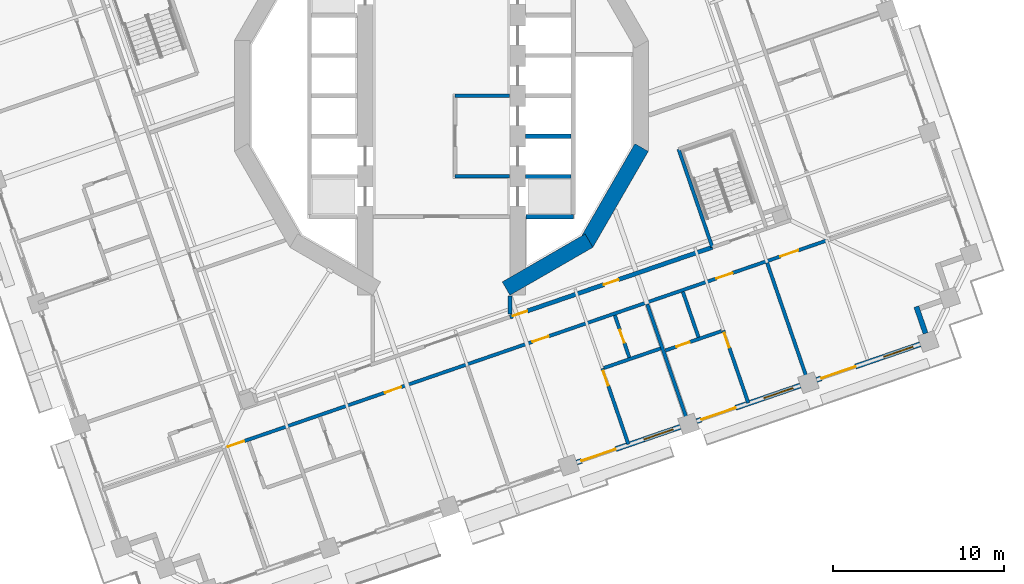
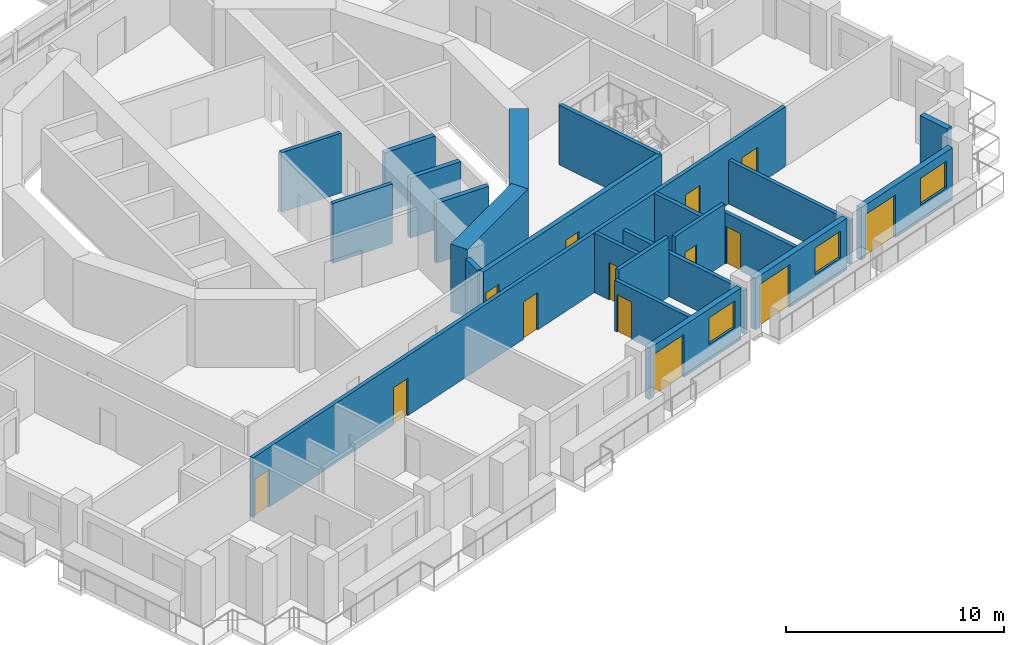
# One storey, part 9 of 22: 23 walls, 14 doors, 3 windows, 17 openings.
"""IFC4 building model written with IfcOpenShell, lengths in metres."""

from ifc_helpers import new_model, si_unit, direction, frame, frame_2d, origin, place, context, subcontext, project, spatial, rectangle, extrude, material, layer, layer_set, type_object, element, fill, save


model = new_model("IFC4")

# Units and contexts
model_context = context("Model", 3, precision=1e-05, world=origin(), true_north=direction((0.0, 1.0)))
body_context = subcontext(model_context, "Body", "Model", "MODEL_VIEW")
ifc_project = project(units=[si_unit("LENGTHUNIT", "METRE"), si_unit("AREAUNIT", "SQUARE_METRE"), si_unit("VOLUMEUNIT", "CUBIC_METRE"), si_unit("PLANEANGLEUNIT", "RADIAN"), si_unit("MASSUNIT", "GRAM", prefix="KILO")], contexts=[model_context])

# Site, building, storey
site_placement = place(None, origin())
site = spatial("IfcSite", under=ifc_project, at=site_placement, CompositionType="ELEMENT")
building_placement = place(site_placement, origin())
building = spatial("IfcBuilding", under=site, at=building_placement, Name="Cantera Rosa Tower", CompositionType="ELEMENT")
storey_placement = place(building_placement, frame((0.0, 0.0, 138.300048828125)))
storey = spatial("IfcBuildingStorey", under=building, at=storey_placement, Name="L29", CompositionType="ELEMENT", Elevation=138.300048828125)

# Wall, openings, doors
ifc_material_1 = material(Name="Gypsum board partition")
ifc_layer_1 = layer(ifc_material_1, 0.199951171875)
ifc_layer_set_1 = layer_set([ifc_layer_1], Name="CORRIDOR WALL 200 H3350")
wall_type_1 = type_object("IfcWallType", Name="CORRIDOR WALL 200 H3350", PredefinedType="PARTITIONING", material=ifc_layer_set_1)
wall_1_placement = place(storey_placement, frame((-12.58642578125, -20.515380859375, 0.0), z_axis=(0.0, 0.0, 1.0), x_axis=(0.945519939336, 0.325564193852, 0.0)))
wall_1 = element("IfcWall", 1, at=wall_1_placement, inside=storey, type_object=wall_type_1, Name="CORRIDOR WALL L29-029", PredefinedType="PARTITIONING", context=body_context, shape_type="SweptSolid", body=[
    extrude(rectangle(XDim=37.27978515625, YDim=0.199951171875, at=frame_2d((18.639892578125, 0.0))), origin(), (0.0, 0.0, 1.0), 3.349853515625),
])
opening_1_placement = place(wall_1_placement, frame((9.830078125, 0.0, 0.0)))
opening_1 = element("IfcOpeningElement", 2, at=opening_1_placement, cuts=wall_1, Name="Opening L29-039", PredefinedType="OPENING", context=body_context, shape_type="SweptSolid", body=[
    extrude(rectangle(XDim=1.0, YDim=2.10009765625, at=frame_2d((0.5, 1.050048828125))), frame((0.0, 0.10986328125, 0.0), z_axis=(0.0, -1.0, 0.0), x_axis=(1.0, 0.0, 0.0)), (0.0, 0.0, 1.0), 0.219970703125),
])
opening_2_placement = place(wall_1_placement, frame((18.929931640625, 0.0, 0.0)))
opening_2 = element("IfcOpeningElement", 3, at=opening_2_placement, cuts=wall_1, Name="Opening L29-042", PredefinedType="OPENING", context=body_context, shape_type="SweptSolid", body=[
    extrude(rectangle(XDim=1.0, YDim=2.10009765625, at=frame_2d((0.5, 1.050048828125))), frame((0.0, 0.10986328125, 0.0), z_axis=(0.0, -1.0, 0.0), x_axis=(1.0, 0.0, 0.0)), (0.0, 0.0, 1.0), 0.219970703125),
])
opening_3_placement = place(wall_1_placement, frame((30.280029296875, 0.0, 0.0)))
opening_3 = element("IfcOpeningElement", 4, at=opening_3_placement, cuts=wall_1, Name="Opening L29-045", PredefinedType="OPENING", context=body_context, shape_type="SweptSolid", body=[
    extrude(rectangle(XDim=1.0, YDim=2.10009765625, at=frame_2d((0.5, 1.050048828125))), frame((0.0, 0.10986328125, 0.0), z_axis=(0.0, -1.0, 0.0), x_axis=(1.0, 0.0, 0.0)), (0.0, 0.0, 1.0), 0.219970703125),
])
opening_4_placement = place(wall_1_placement, frame((0.1298828125, 0.0, 0.0)))
opening_4 = element("IfcOpeningElement", 5, at=opening_4_placement, cuts=wall_1, Name="Opening L29-048", PredefinedType="OPENING", context=body_context, shape_type="SweptSolid", body=[
    extrude(rectangle(XDim=1.0, YDim=2.10009765625, at=frame_2d((0.5, 1.050048828125))), frame((0.0, 0.10986328125, 0.0), z_axis=(0.0, -1.0, 0.0), x_axis=(1.0, 0.0, 0.0)), (0.0, 0.0, 1.0), 0.219970703125),
])
opening_5_placement = place(wall_1_placement, frame((34.22998046875, 0.0, 0.0)))
opening_5 = element("IfcOpeningElement", 6, at=opening_5_placement, cuts=wall_1, Name="Opening L29-051", PredefinedType="OPENING", context=body_context, shape_type="SweptSolid", body=[
    extrude(rectangle(XDim=1.10009765625, YDim=2.10009765625, at=frame_2d((0.550048828125, 1.050048828125))), frame((0.0, 0.10986328125, 0.0), z_axis=(0.0, -1.0, 0.0), x_axis=(1.0, 0.0, 0.0)), (0.0, 0.0, 1.0), 0.219970703125),
])
ifc_material_2 = material(Name="Timber door leaf", Category="wood")
door_type_1 = type_object("IfcDoorType", Name="ENTRANCE DOOR 1000x2100", OperationType="NOTDEFINED", PredefinedType="DOOR", material=ifc_material_2)
door_1_placement = place(opening_1_placement, origin())
door_1 = element("IfcDoor", 7, at=door_1_placement, inside=storey, type_object=door_type_1, Name="DOOR L29-039", OperationType="NOTDEFINED", OverallHeight=2.10009765625, OverallWidth=1.0, PredefinedType="DOOR", context=body_context, shape_type="SweptSolid", body=[
    extrude(rectangle(XDim=1.0, YDim=2.10009765625, at=frame_2d((0.5, 1.050048828125))), frame((0.0, 0.02490234375, 0.0), z_axis=(0.0, -1.0, 0.0), x_axis=(1.0, 0.0, 0.0)), (0.0, 0.0, 1.0), 0.050048828125),
])
fill(opening_1, door_1)
door_2_placement = place(opening_2_placement, origin())
door_2 = element("IfcDoor", 8, at=door_2_placement, inside=storey, type_object=door_type_1, Name="DOOR L29-042", OperationType="NOTDEFINED", OverallHeight=2.10009765625, OverallWidth=1.0, PredefinedType="DOOR", context=body_context, shape_type="SweptSolid", body=[
    extrude(rectangle(XDim=1.0, YDim=2.10009765625, at=frame_2d((0.5, 1.050048828125))), frame((0.0, 0.02490234375, 0.0), z_axis=(0.0, -1.0, 0.0), x_axis=(1.0, 0.0, 0.0)), (0.0, 0.0, 1.0), 0.050048828125),
])
fill(opening_2, door_2)
door_3_placement = place(opening_3_placement, origin())
door_3 = element("IfcDoor", 9, at=door_3_placement, inside=storey, type_object=door_type_1, Name="DOOR L29-045", OperationType="NOTDEFINED", OverallHeight=2.10009765625, OverallWidth=1.0, PredefinedType="DOOR", context=body_context, shape_type="SweptSolid", body=[
    extrude(rectangle(XDim=1.0, YDim=2.10009765625, at=frame_2d((0.5, 1.050048828125))), frame((0.0, 0.02490234375, 0.0), z_axis=(0.0, -1.0, 0.0), x_axis=(1.0, 0.0, 0.0)), (0.0, 0.0, 1.0), 0.050048828125),
])
fill(opening_3, door_3)
door_4_placement = place(opening_4_placement, origin())
door_4 = element("IfcDoor", 10, at=door_4_placement, inside=storey, type_object=door_type_1, Name="DOOR L29-048", OperationType="NOTDEFINED", OverallHeight=2.10009765625, OverallWidth=1.0, PredefinedType="DOOR", context=body_context, shape_type="SweptSolid", body=[
    extrude(rectangle(XDim=1.0, YDim=2.10009765625, at=frame_2d((0.5, 1.050048828125))), frame((0.0, 0.02490234375, 0.0), z_axis=(0.0, -1.0, 0.0), x_axis=(1.0, 0.0, 0.0)), (0.0, 0.0, 1.0), 0.050048828125),
])
fill(opening_4, door_4)
ifc_material_3 = material(Name="Timber door leaf", Category="wood")
door_type_2 = type_object("IfcDoorType", Name="ROOM DOOR 1100x2100", OperationType="NOTDEFINED", PredefinedType="DOOR", material=ifc_material_3)
door_5_placement = place(opening_5_placement, origin())
door_5 = element("IfcDoor", 11, at=door_5_placement, inside=storey, type_object=door_type_2, Name="DOOR L29-051", OperationType="NOTDEFINED", OverallHeight=2.10009765625, OverallWidth=1.10009765625, PredefinedType="DOOR", context=body_context, shape_type="SweptSolid", body=[
    extrude(rectangle(XDim=1.10009765625, YDim=2.10009765625, at=frame_2d((0.550048828125, 1.050048828125))), frame((0.0, 0.02490234375, 0.0), z_axis=(0.0, -1.0, 0.0), x_axis=(1.0, 0.0, 0.0)), (0.0, 0.0, 1.0), 0.050048828125),
])
fill(opening_5, door_5)

# Wall
ifc_material_4 = material(Name="Hollow clay masonry with cantera stone cladding", Category="masonry")
ifc_layer_2 = layer(ifc_material_4, 0.300048828125)
ifc_layer_set_2 = layer_set([ifc_layer_2], Name="EW-LOGGIA 300")
wall_type_2 = type_object("IfcWallType", Name="EW-LOGGIA 300", PredefinedType="SOLIDWALL", material=ifc_layer_set_2)
wall_2_placement = place(storey_placement, frame((28.250732421875, -13.857421875, 0.0), z_axis=(0.0, 0.0, 1.0), x_axis=(-0.325666906351, 0.945484566827, 0.0)))
element("IfcWall", 12, at=wall_2_placement, inside=storey, type_object=wall_type_2, Name="EN-L29-W29a", PredefinedType="SOLIDWALL", context=body_context, shape_type="SweptSolid", body=[
    extrude(rectangle(XDim=1.64990234375, YDim=0.300048828125, at=frame_2d((0.824951171875, 0.0))), origin(), (0.0, 0.0, 1.0), 3.5),
])

# Wall, openings, window, door
ifc_material_5 = material(Name="Hollow clay masonry with cantera stone cladding", Category="masonry")
ifc_layer_3 = layer(ifc_material_5, 0.300048828125)
ifc_layer_set_3 = layer_set([ifc_layer_3], Name="EW-LOGGIA 300 H2890")
wall_type_3 = type_object("IfcWallType", Name="EW-LOGGIA 300 H2890", PredefinedType="SOLIDWALL", material=ifc_layer_set_3)
wall_3_placement = place(storey_placement, frame((7.895751953125, -21.39501953125, 0.0), z_axis=(0.0, 0.0, 1.0), x_axis=(0.945524496524, 0.325550958337, 0.0)))
wall_3 = element("IfcWall", 13, at=wall_3_placement, inside=storey, type_object=wall_type_3, Name="EN-L29-W26", PredefinedType="SOLIDWALL", context=body_context, shape_type="SweptSolid", body=[
    extrude(rectangle(XDim=6.39990234375, YDim=0.300048828125, at=frame_2d((3.199951171875, 0.0))), origin(), (0.0, 0.0, 1.0), 2.889892578125),
])
opening_6_placement = place(wall_3_placement, frame((0.300048828125, 0.0, 0.0)))
opening_6 = element("IfcOpeningElement", 14, at=opening_6_placement, cuts=wall_3, Name="Opening L29-TD35", PredefinedType="OPENING", context=body_context, shape_type="SweptSolid", body=[
    extrude(rectangle(XDim=2.10009765625, YDim=2.39990234375, at=frame_2d((1.050048828125, 1.199951171875))), frame((0.0, 0.159912109375, 0.0), z_axis=(0.0, -1.0, 0.0), x_axis=(1.0, 0.0, 0.0)), (0.0, 0.0, 1.0), 0.320068359375),
])
opening_7_placement = place(wall_3_placement, frame((4.14990234375, 0.0, 0.89990234375)))
opening_7 = element("IfcOpeningElement", 15, at=opening_7_placement, cuts=wall_3, Name="Opening L29-W36", PredefinedType="OPENING", context=body_context, shape_type="SweptSolid", body=[
    extrude(rectangle(XDim=1.800048828125, YDim=1.5, at=frame_2d((0.89990234375, 0.75))), frame((0.0, 0.159912109375, 0.0), z_axis=(0.0, -1.0, 0.0), x_axis=(1.0, 0.0, 0.0)), (0.0, 0.0, 1.0), 0.320068359375),
])
ifc_material_6 = material(Name="Aluminium frame with clear glass", Category="aluminium")
window_type = type_object("IfcWindowType", Name="Hotel room window 1800x1500", PartitioningType="DOUBLE_PANEL_VERTICAL", PredefinedType="WINDOW", material=ifc_material_6)
window_1_placement = place(opening_7_placement, origin())
window_1 = element("IfcWindow", 16, at=window_1_placement, inside=storey, type_object=window_type, Name="WINDOW L29-W36", OverallHeight=1.5, OverallWidth=1.800048828125, PartitioningType="SINGLE_PANEL", PredefinedType="WINDOW", context=body_context, shape_type="SweptSolid", body=[
    extrude(rectangle(XDim=1.800048828125, YDim=1.5, at=frame_2d((0.89990234375, 0.75))), frame((0.0, 0.030029296875, 0.0), z_axis=(0.0, -1.0, 0.0), x_axis=(1.0, 0.0, 0.0)), (0.0, 0.0, 1.0), 0.06005859375),
])
fill(opening_7, window_1)
ifc_material_7 = material(Name="Aluminium frame with clear glass", Category="aluminium")
door_type_3 = type_object("IfcDoorType", Name="TD-H 2100x2400", OperationType="NOTDEFINED", PredefinedType="DOOR", material=ifc_material_7)
door_6_placement = place(opening_6_placement, origin())
door_6 = element("IfcDoor", 17, at=door_6_placement, inside=storey, type_object=door_type_3, Name="LOGGIA DOOR L29-TD35", OperationType="SLIDING_TO_LEFT", OverallHeight=2.39990234375, OverallWidth=2.10009765625, PredefinedType="DOOR", context=body_context, shape_type="SweptSolid", body=[
    extrude(rectangle(XDim=2.10009765625, YDim=2.39990234375, at=frame_2d((1.050048828125, 1.199951171875))), frame((0.0, 0.02490234375, 0.0), z_axis=(0.0, -1.0, 0.0), x_axis=(1.0, 0.0, 0.0)), (0.0, 0.0, 1.0), 0.050048828125),
])
fill(opening_6, door_6)

wall_4_placement = place(storey_placement, frame((14.892578125, -18.98583984375, 0.0), z_axis=(0.0, 0.0, 1.0), x_axis=(0.945512753621, 0.325585062219, 0.0)))
wall_4 = element("IfcWall", 18, at=wall_4_placement, inside=storey, type_object=wall_type_3, Name="EN-L29-W27", PredefinedType="SOLIDWALL", context=body_context, shape_type="SweptSolid", body=[
    extrude(rectangle(XDim=6.39990234375, YDim=0.300048828125, at=frame_2d((3.199951171875, 0.0))), origin(), (0.0, 0.0, 1.0), 2.889892578125),
])
opening_8_placement = place(wall_4_placement, frame((0.300048828125, 0.0, 0.0)))
opening_8 = element("IfcOpeningElement", 19, at=opening_8_placement, cuts=wall_4, Name="Opening L29-TD37", PredefinedType="OPENING", context=body_context, shape_type="SweptSolid", body=[
    extrude(rectangle(XDim=2.10009765625, YDim=2.39990234375, at=frame_2d((1.050048828125, 1.199951171875))), frame((0.0, 0.159912109375, 0.0), z_axis=(0.0, -1.0, 0.0), x_axis=(1.0, 0.0, 0.0)), (0.0, 0.0, 1.0), 0.320068359375),
])
opening_9_placement = place(wall_4_placement, frame((4.14990234375, 0.0, 0.89990234375)))
opening_9 = element("IfcOpeningElement", 20, at=opening_9_placement, cuts=wall_4, Name="Opening L29-W38", PredefinedType="OPENING", context=body_context, shape_type="SweptSolid", body=[
    extrude(rectangle(XDim=1.800048828125, YDim=1.5, at=frame_2d((0.89990234375, 0.75))), frame((0.0, 0.159912109375, 0.0), z_axis=(0.0, -1.0, 0.0), x_axis=(1.0, 0.0, 0.0)), (0.0, 0.0, 1.0), 0.320068359375),
])
window_2_placement = place(opening_9_placement, origin())
window_2 = element("IfcWindow", 21, at=window_2_placement, inside=storey, type_object=window_type, Name="WINDOW L29-W38", OverallHeight=1.5, OverallWidth=1.800048828125, PartitioningType="SINGLE_PANEL", PredefinedType="WINDOW", context=body_context, shape_type="SweptSolid", body=[
    extrude(rectangle(XDim=1.800048828125, YDim=1.5, at=frame_2d((0.89990234375, 0.75))), frame((0.0, 0.030029296875, 0.0), z_axis=(0.0, -1.0, 0.0), x_axis=(1.0, 0.0, 0.0)), (0.0, 0.0, 1.0), 0.06005859375),
])
fill(opening_9, window_2)
door_7_placement = place(opening_8_placement, origin())
door_7 = element("IfcDoor", 22, at=door_7_placement, inside=storey, type_object=door_type_3, Name="LOGGIA DOOR L29-TD37", OperationType="SLIDING_TO_LEFT", OverallHeight=2.39990234375, OverallWidth=2.10009765625, PredefinedType="DOOR", context=body_context, shape_type="SweptSolid", body=[
    extrude(rectangle(XDim=2.10009765625, YDim=2.39990234375, at=frame_2d((1.050048828125, 1.199951171875))), frame((0.0, 0.02490234375, 0.0), z_axis=(0.0, -1.0, 0.0), x_axis=(1.0, 0.0, 0.0)), (0.0, 0.0, 1.0), 0.050048828125),
])
fill(opening_8, door_7)

ifc_material_8 = material(Name="Hollow clay masonry with cantera stone cladding", Category="masonry")
ifc_layer_4 = layer(ifc_material_8, 0.300048828125)
ifc_layer_set_4 = layer_set([ifc_layer_4], Name="EW-LOGGIA 300 H2940")
wall_type_4 = type_object("IfcWallType", Name="EW-LOGGIA 300 H2940", PredefinedType="SOLIDWALL", material=ifc_layer_set_4)
wall_5_placement = place(storey_placement, frame((21.889404296875, -16.57666015625, 0.0), z_axis=(0.0, 0.0, 1.0), x_axis=(0.945512753621, 0.325585062219, 0.0)))
wall_5 = element("IfcWall", 23, at=wall_5_placement, inside=storey, type_object=wall_type_4, Name="EN-L29-W28", PredefinedType="SOLIDWALL", context=body_context, shape_type="SweptSolid", body=[
    extrude(rectangle(XDim=6.39990234375, YDim=0.300048828125, at=frame_2d((3.199951171875, 0.0))), origin(), (0.0, 0.0, 1.0), 2.93994140625),
])
opening_10_placement = place(wall_5_placement, frame((0.300048828125, 0.0, 0.0)))
opening_10 = element("IfcOpeningElement", 24, at=opening_10_placement, cuts=wall_5, Name="Opening L29-TD39", PredefinedType="OPENING", context=body_context, shape_type="SweptSolid", body=[
    extrude(rectangle(XDim=2.10009765625, YDim=2.39990234375, at=frame_2d((1.050048828125, 1.199951171875))), frame((0.0, 0.159912109375, 0.0), z_axis=(0.0, -1.0, 0.0), x_axis=(1.0, 0.0, 0.0)), (0.0, 0.0, 1.0), 0.320068359375),
])
opening_11_placement = place(wall_5_placement, frame((4.14990234375, 0.0, 0.89990234375)))
opening_11 = element("IfcOpeningElement", 25, at=opening_11_placement, cuts=wall_5, Name="Opening L29-W40", PredefinedType="OPENING", context=body_context, shape_type="SweptSolid", body=[
    extrude(rectangle(XDim=1.800048828125, YDim=1.5, at=frame_2d((0.89990234375, 0.75))), frame((0.0, 0.159912109375, 0.0), z_axis=(0.0, -1.0, 0.0), x_axis=(1.0, 0.0, 0.0)), (0.0, 0.0, 1.0), 0.320068359375),
])
window_3_placement = place(opening_11_placement, origin())
window_3 = element("IfcWindow", 26, at=window_3_placement, inside=storey, type_object=window_type, Name="WINDOW L29-W40", OverallHeight=1.5, OverallWidth=1.800048828125, PartitioningType="SINGLE_PANEL", PredefinedType="WINDOW", context=body_context, shape_type="SweptSolid", body=[
    extrude(rectangle(XDim=1.800048828125, YDim=1.5, at=frame_2d((0.89990234375, 0.75))), frame((0.0, 0.030029296875, 0.0), z_axis=(0.0, -1.0, 0.0), x_axis=(1.0, 0.0, 0.0)), (0.0, 0.0, 1.0), 0.06005859375),
])
fill(opening_11, window_3)
door_8_placement = place(opening_10_placement, origin())
door_8 = element("IfcDoor", 27, at=door_8_placement, inside=storey, type_object=door_type_3, Name="LOGGIA DOOR L29-TD39", OperationType="SLIDING_TO_LEFT", OverallHeight=2.39990234375, OverallWidth=2.10009765625, PredefinedType="DOOR", context=body_context, shape_type="SweptSolid", body=[
    extrude(rectangle(XDim=2.10009765625, YDim=2.39990234375, at=frame_2d((1.050048828125, 1.199951171875))), frame((0.0, 0.02490234375, 0.0), z_axis=(0.0, -1.0, 0.0), x_axis=(1.0, 0.0, 0.0)), (0.0, 0.0, 1.0), 0.050048828125),
])
fill(opening_10, door_8)

# Wall, opening, door
ifc_material_9 = material(Name="Gypsum board partition")
ifc_layer_5 = layer(ifc_material_9, 0.199951171875)
ifc_layer_set_5 = layer_set([ifc_layer_5], Name="PARTITION 200 H2850")
wall_type_5 = type_object("IfcWallType", Name="PARTITION 200 H2850", PredefinedType="PARTITIONING", material=ifc_layer_set_5)
wall_6_placement = place(storey_placement, frame((10.91162109375, -20.324951171875, 0.0), z_axis=(0.0, 0.0, 1.0), x_axis=(-0.325574999189, 0.945516218742, 0.0)))
wall_6 = element("IfcWall", 28, at=wall_6_placement, inside=storey, type_object=wall_type_5, Name="PARTITION L29-081", PredefinedType="PARTITIONING", context=body_context, shape_type="SweptSolid", body=[
    extrude(rectangle(XDim=4.670166015625, YDim=0.199951171875, at=frame_2d((2.3349609375, 0.0))), origin(), (0.0, 0.0, 1.0), 2.849853515625),
])
opening_12_placement = place(wall_6_placement, frame((3.6201171875, 0.0, 0.0)))
opening_12 = element("IfcOpeningElement", 29, at=opening_12_placement, cuts=wall_6, Name="Opening L29-044", PredefinedType="OPENING", context=body_context, shape_type="SweptSolid", body=[
    extrude(rectangle(XDim=0.89990234375, YDim=2.10009765625, at=frame_2d((0.449951171875, 1.050048828125))), frame((0.0, 0.10986328125, 0.0), z_axis=(0.0, -1.0, 0.0), x_axis=(1.0, 0.0, 0.0)), (0.0, 0.0, 1.0), 0.219970703125),
])
ifc_material_10 = material(Name="Timber door leaf", Category="wood")
door_type_4 = type_object("IfcDoorType", Name="ROOM DOOR 900x2100", OperationType="NOTDEFINED", PredefinedType="DOOR", material=ifc_material_10)
door_9_placement = place(opening_12_placement, origin())
door_9 = element("IfcDoor", 30, at=door_9_placement, inside=storey, type_object=door_type_4, Name="DOOR L29-044", OperationType="NOTDEFINED", OverallHeight=2.10009765625, OverallWidth=0.89990234375, PredefinedType="DOOR", context=body_context, shape_type="SweptSolid", body=[
    extrude(rectangle(XDim=0.89990234375, YDim=2.10009765625, at=frame_2d((0.449951171875, 1.050048828125))), frame((0.0, 0.02490234375, 0.0), z_axis=(0.0, -1.0, 0.0), x_axis=(1.0, 0.0, 0.0)), (0.0, 0.0, 1.0), 0.050048828125),
])
fill(opening_12, door_9)

wall_7_placement = place(storey_placement, frame((16.453125, -13.689208984375, 0.0), z_axis=(0.0, 0.0, 1.0), x_axis=(0.325568171973, -0.945518569568, 0.0)))
wall_7 = element("IfcWall", 31, at=wall_7_placement, inside=storey, type_object=wall_type_5, Name="PARTITION L29-100", PredefinedType="PARTITIONING", context=body_context, shape_type="SweptSolid", body=[
    extrude(rectangle(XDim=4.47021484375, YDim=0.199951171875, at=frame_2d((2.235107421875, 0.0))), origin(), (0.0, 0.0, 1.0), 2.849853515625),
])
opening_13_placement = place(wall_7_placement, frame((0.14990234375, 0.0, 0.0)))
opening_13 = element("IfcOpeningElement", 32, at=opening_13_placement, cuts=wall_7, Name="Opening L29-046", PredefinedType="OPENING", context=body_context, shape_type="SweptSolid", body=[
    extrude(rectangle(XDim=0.89990234375, YDim=2.10009765625, at=frame_2d((0.449951171875, 1.050048828125))), frame((0.0, 0.10986328125, 0.0), z_axis=(0.0, -1.0, 0.0), x_axis=(1.0, 0.0, 0.0)), (0.0, 0.0, 1.0), 0.219970703125),
])
door_10_placement = place(opening_13_placement, origin())
door_10 = element("IfcDoor", 33, at=door_10_placement, inside=storey, type_object=door_type_4, Name="DOOR L29-046", OperationType="NOTDEFINED", OverallHeight=2.10009765625, OverallWidth=0.89990234375, PredefinedType="DOOR", context=body_context, shape_type="SweptSolid", body=[
    extrude(rectangle(XDim=0.89990234375, YDim=2.10009765625, at=frame_2d((0.449951171875, 1.050048828125))), frame((0.0, 0.02490234375, 0.0), z_axis=(0.0, -1.0, 0.0), x_axis=(1.0, 0.0, 0.0)), (0.0, 0.0, 1.0), 0.050048828125),
])
fill(opening_13, door_10)

# Wall
ifc_material_11 = material(Name="Gypsum board partition")
ifc_layer_6 = layer(ifc_material_11, 0.199951171875)
ifc_layer_set_6 = layer_set([ifc_layer_6], Name="PARTITION 200 H3350")
wall_type_6 = type_object("IfcWallType", Name="PARTITION 200 H3350", PredefinedType="PARTITIONING", material=ifc_layer_set_6)
wall_8_placement = place(storey_placement, frame((9.48583984375, -15.876708984375, 0.0), z_axis=(0.0, 0.0, 1.0), x_axis=(0.945526322632, 0.325545654572, 0.0)))
element("IfcWall", 34, at=wall_8_placement, inside=storey, type_object=wall_type_6, Name="PARTITION L29-078", PredefinedType="PARTITIONING", context=body_context, shape_type="SweptSolid", body=[
    extrude(rectangle(XDim=3.5, YDim=0.199951171875, at=frame_2d((1.75, 0.0))), origin(), (0.0, 0.0, 1.0), 3.349853515625),
])

# Wall, opening, door
wall_9_placement = place(storey_placement, frame((10.966064453125, -15.26123046875, 0.0), z_axis=(0.0, 0.0, 1.0), x_axis=(-0.325649185186, 0.945490670598, 0.0)))
wall_9 = element("IfcWall", 35, at=wall_9_placement, inside=storey, type_object=wall_type_6, Name="PARTITION L29-082", PredefinedType="PARTITIONING", context=body_context, shape_type="SweptSolid", body=[
    extrude(rectangle(XDim=2.599853515625, YDim=0.199951171875, at=frame_2d((1.2998046875, 0.0))), origin(), (0.0, 0.0, 1.0), 3.349853515625),
])
opening_14_placement = place(wall_9_placement, frame((0.89990234375, 0.0, 0.0)))
opening_14 = element("IfcOpeningElement", 36, at=opening_14_placement, cuts=wall_9, Name="Opening L29-043", PredefinedType="OPENING", context=body_context, shape_type="SweptSolid", body=[
    extrude(rectangle(XDim=0.800048828125, YDim=2.10009765625, at=frame_2d((0.39990234375, 1.050048828125))), frame((0.0, 0.10986328125, 0.0), z_axis=(0.0, -1.0, 0.0), x_axis=(1.0, 0.0, 0.0)), (0.0, 0.0, 1.0), 0.219970703125),
])
ifc_material_12 = material(Name="Timber door leaf", Category="wood")
door_type_5 = type_object("IfcDoorType", Name="BATHROOM DOOR 800x2100", OperationType="NOTDEFINED", PredefinedType="DOOR", material=ifc_material_12)
door_11_placement = place(opening_14_placement, origin())
door_11 = element("IfcDoor", 37, at=door_11_placement, inside=storey, type_object=door_type_5, Name="DOOR L29-043", OperationType="NOTDEFINED", OverallHeight=2.10009765625, OverallWidth=0.800048828125, PredefinedType="DOOR", context=body_context, shape_type="SweptSolid", body=[
    extrude(rectangle(XDim=0.800048828125, YDim=2.10009765625, at=frame_2d((0.39990234375, 1.050048828125))), frame((0.0, 0.02490234375, 0.0), z_axis=(0.0, -1.0, 0.0), x_axis=(1.0, 0.0, 0.0)), (0.0, 0.0, 1.0), 0.050048828125),
])
fill(opening_14, door_11)

wall_10_placement = place(storey_placement, frame((13.068115234375, -14.854736328125, 0.0), z_axis=(0.0, 0.0, 1.0), x_axis=(0.945518358783, 0.325568784136, 0.0)))
wall_10 = element("IfcWall", 38, at=wall_10_placement, inside=storey, type_object=wall_type_6, Name="PARTITION L29-095", PredefinedType="PARTITIONING", context=body_context, shape_type="SweptSolid", body=[
    extrude(rectangle(XDim=3.4599609375, YDim=0.199951171875, at=frame_2d((1.72998046875, 0.0))), origin(), (0.0, 0.0, 1.0), 3.349853515625),
])
opening_15_placement = place(wall_10_placement, frame((0.68994140625, 0.0, 0.0)))
opening_15 = element("IfcOpeningElement", 39, at=opening_15_placement, cuts=wall_10, Name="Opening L29-047", PredefinedType="OPENING", context=body_context, shape_type="SweptSolid", body=[
    extrude(rectangle(XDim=0.800048828125, YDim=2.10009765625, at=frame_2d((0.39990234375, 1.050048828125))), frame((0.0, 0.10986328125, 0.0), z_axis=(0.0, -1.0, 0.0), x_axis=(1.0, 0.0, 0.0)), (0.0, 0.0, 1.0), 0.219970703125),
])
door_12_placement = place(opening_15_placement, origin())
door_12 = element("IfcDoor", 40, at=door_12_placement, inside=storey, type_object=door_type_5, Name="DOOR L29-047", OperationType="NOTDEFINED", OverallHeight=2.10009765625, OverallWidth=0.800048828125, PredefinedType="DOOR", context=body_context, shape_type="SweptSolid", body=[
    extrude(rectangle(XDim=0.800048828125, YDim=2.10009765625, at=frame_2d((0.39990234375, 1.050048828125))), frame((0.0, 0.02490234375, 0.0), z_axis=(0.0, -1.0, 0.0), x_axis=(1.0, 0.0, 0.0)), (0.0, 0.0, 1.0), 0.050048828125),
])
fill(opening_15, door_12)

# Walls
wall_11_placement = place(storey_placement, frame((14.0908203125, -11.435546875, 0.0), z_axis=(0.0, 0.0, 1.0), x_axis=(0.325498881735, -0.945542425272, 0.0)))
element("IfcWall", 41, at=wall_11_placement, inside=storey, type_object=wall_type_6, Name="PARTITION L29-097", PredefinedType="PARTITIONING", context=body_context, shape_type="SweptSolid", body=[
    extrude(rectangle(XDim=2.800048828125, YDim=0.199951171875, at=frame_2d((1.39990234375, 0.0))), origin(), (0.0, 0.0, 1.0), 3.349853515625),
])
ifc_material_13 = material(Name="Gypsum board partition")
ifc_layer_7 = layer(ifc_material_13, 0.199951171875)
ifc_layer_set_7 = layer_set([ifc_layer_7], Name="PARTY WALL 200 H2450")
wall_type_7 = type_object("IfcWallType", Name="PARTY WALL 200 H2450", PredefinedType="PARTITIONING", material=ifc_layer_set_7)
wall_12_placement = place(storey_placement, frame((12.010498046875, -12.15185546875, 0.0), z_axis=(0.0, 0.0, 1.0), x_axis=(0.325563917555, -0.945520034471, 0.0)))
element("IfcWall", 42, at=wall_12_placement, inside=storey, type_object=wall_type_7, Name="PARTY WALL L29-086", PredefinedType="PARTITIONING", context=body_context, shape_type="SweptSolid", body=[
    extrude(rectangle(XDim=7.3701171875, YDim=0.199951171875, at=frame_2d((3.68505859375, 0.0))), origin(), (0.0, 0.0, 1.0), 2.449951171875),
])
wall_13_placement = place(storey_placement, frame((19.00732421875, -9.74267578125, 0.0), z_axis=(0.0, 0.0, 1.0), x_axis=(0.325603730276, -0.945506325114, 0.0)))
element("IfcWall", 43, at=wall_13_placement, inside=storey, type_object=wall_type_7, Name="PARTY WALL L29-106", PredefinedType="PARTITIONING", context=body_context, shape_type="SweptSolid", body=[
    extrude(rectangle(XDim=7.369873046875, YDim=0.199951171875, at=frame_2d((3.68505859375, 0.0))), origin(), (0.0, 0.0, 1.0), 2.449951171875),
])
ifc_material_14 = material(Name="Concrete C70/85", Category="concrete")
ifc_layer_8 = layer(ifc_material_14, 0.89990234375)
ifc_layer_set_8 = layer_set([ifc_layer_8], Name="RC CORE WALL 900 C70/85")
wall_type_8 = type_object("IfcWallType", Name="RC CORE WALL 900 C70/85", PredefinedType="SHEAR", material=ifc_layer_set_8)
wall_14_placement = place(storey_placement, frame((11.684326171875, -3.01025390625, 0.0), z_axis=(0.0, 0.0, 1.0), x_axis=(-0.499990282633, -0.866031014036, 0.0)))
element("IfcWall", 44, at=wall_14_placement, inside=storey, type_object=wall_type_8, Name="CW-E4 L29", PredefinedType="SHEAR", context=body_context, shape_type="SweptSolid", body=[
    extrude(rectangle(XDim=6.470458984375, YDim=0.89990234375, at=frame_2d((3.2353515625, 0.0))), origin(), (0.0, 0.0, 1.0), 3.800048828125),
])
wall_15_placement = place(storey_placement, frame((8.61376953125, -8.44921875, 0.0), z_axis=(0.0, 0.0, 1.0), x_axis=(-0.866026961591, -0.49999730179, 0.0)))
element("IfcWall", 45, at=wall_15_placement, inside=storey, type_object=wall_type_8, Name="CW-E5 L29", PredefinedType="SHEAR", context=body_context, shape_type="SweptSolid", body=[
    extrude(rectangle(XDim=5.58740234375, YDim=0.89990234375, at=frame_2d((2.793701171875, 0.0))), origin(), (0.0, 0.0, 1.0), 3.800048828125),
])
ifc_material_15 = material(Name="Masonry blockwork", Category="masonry")
ifc_layer_9 = layer(ifc_material_15, 0.25)
ifc_layer_set_9 = layer_set([ifc_layer_9], Name="SHAFT WALL 250 H3350")
wall_type_9 = type_object("IfcWallType", Name="SHAFT WALL 250 H3350", PredefinedType="SOLIDWALL", material=ifc_layer_set_9)
wall_16_placement = place(storey_placement, frame((4.0, -12.740478515625, 0.0), z_axis=(0.0, 0.0, 1.0), x_axis=(0.0, 1.0, 0.0)))
element("IfcWall", 46, at=wall_16_placement, inside=storey, type_object=wall_type_9, Name="SHAFT WALL L29-058", PredefinedType="SOLIDWALL", context=body_context, shape_type="SweptSolid", body=[
    extrude(rectangle(XDim=1.0732421875, YDim=0.25, at=frame_2d((0.53662109375, 0.0))), origin(), (0.0, 0.0, 1.0), 3.349853515625),
])

# Wall, openings, doors
wall_17_placement = place(storey_placement, frame((4.0, -12.900634765625, 0.0), z_axis=(0.0, 0.0, 1.0), x_axis=(0.945515789626, 0.325576245398, 0.0)))
wall_17 = element("IfcWall", 47, at=wall_17_placement, inside=storey, type_object=wall_type_9, Name="SHAFT WALL L29-059", PredefinedType="SOLIDWALL", context=body_context, shape_type="SweptSolid", body=[
    extrude(rectangle(XDim=12.491455078125, YDim=0.25, at=frame_2d((6.24560546875, 0.0))), origin(), (0.0, 0.0, 1.0), 3.349853515625),
])
opening_16_placement = place(wall_17_placement, frame((0.174560546875, 0.0, 0.0)))
opening_16 = element("IfcOpeningElement", 48, at=opening_16_placement, cuts=wall_17, Name="Opening L29-008", PredefinedType="OPENING", context=body_context, shape_type="SweptSolid", body=[
    extrude(rectangle(XDim=0.89990234375, YDim=2.10009765625, at=frame_2d((0.449951171875, 1.050048828125))), frame((0.0, 0.135009765625, 0.0), z_axis=(0.0, -1.0, 0.0), x_axis=(1.0, 0.0, 0.0)), (0.0, 0.0, 1.0), 0.27001953125),
])
opening_17_placement = place(wall_17_placement, frame((5.795654296875, 0.0, 0.0)))
opening_17 = element("IfcOpeningElement", 49, at=opening_17_placement, cuts=wall_17, Name="Opening L29-052", PredefinedType="OPENING", context=body_context, shape_type="SweptSolid", body=[
    extrude(rectangle(XDim=0.89990234375, YDim=2.10009765625, at=frame_2d((0.449951171875, 1.050048828125))), frame((0.0, 0.135009765625, 0.0), z_axis=(0.0, -1.0, 0.0), x_axis=(1.0, 0.0, 0.0)), (0.0, 0.0, 1.0), 0.27001953125),
])
ifc_material_16 = material(Name="Timber door leaf", Category="wood")
door_type_6 = type_object("IfcDoorType", Name="SERVICE DOOR 900x2100", OperationType="NOTDEFINED", PredefinedType="DOOR", material=ifc_material_16)
door_13_placement = place(opening_16_placement, origin())
door_13 = element("IfcDoor", 50, at=door_13_placement, inside=storey, type_object=door_type_6, Name="RISER DOOR L29-008", OperationType="NOTDEFINED", OverallHeight=2.10009765625, OverallWidth=0.89990234375, PredefinedType="DOOR", context=body_context, shape_type="SweptSolid", body=[
    extrude(rectangle(XDim=0.89990234375, YDim=2.10009765625, at=frame_2d((0.449951171875, 1.050048828125))), frame((0.0, 0.02490234375, 0.0), z_axis=(0.0, -1.0, 0.0), x_axis=(1.0, 0.0, 0.0)), (0.0, 0.0, 1.0), 0.050048828125),
])
fill(opening_16, door_13)
door_14_placement = place(opening_17_placement, origin())
door_14 = element("IfcDoor", 51, at=door_14_placement, inside=storey, type_object=door_type_6, Name="RISER DOOR L29-052", OperationType="NOTDEFINED", OverallHeight=2.10009765625, OverallWidth=0.89990234375, PredefinedType="DOOR", context=body_context, shape_type="SweptSolid", body=[
    extrude(rectangle(XDim=0.89990234375, YDim=2.10009765625, at=frame_2d((0.449951171875, 1.050048828125))), frame((0.0, 0.02490234375, 0.0), z_axis=(0.0, -1.0, 0.0), x_axis=(1.0, 0.0, 0.0)), (0.0, 0.0, 1.0), 0.050048828125),
])
fill(opening_17, door_14)

# Walls
wall_18_placement = place(storey_placement, frame((4.89990234375, -4.699951171875, 0.0), z_axis=(0.0, 0.0, 1.0), x_axis=(1.0, 0.0, 0.0)))
element("IfcWall", 52, at=wall_18_placement, inside=storey, type_object=wall_type_9, Name="SHAFT WALL L29-064", PredefinedType="SOLIDWALL", context=body_context, shape_type="SweptSolid", body=[
    extrude(rectangle(XDim=2.675048828125, YDim=0.25, at=frame_2d((1.33740234375, 0.0))), origin(), (0.0, 0.0, 1.0), 3.349853515625),
])
wall_19_placement = place(storey_placement, frame((4.929931640625, -7.050048828125, 0.0), z_axis=(0.0, 0.0, 1.0), x_axis=(1.0, 0.0, 0.0)))
element("IfcWall", 53, at=wall_19_placement, inside=storey, type_object=wall_type_9, Name="SHAFT WALL L29-066", PredefinedType="SOLIDWALL", context=body_context, shape_type="SweptSolid", body=[
    extrude(rectangle(XDim=2.77001953125, YDim=0.25, at=frame_2d((1.385009765625, 0.0))), origin(), (0.0, 0.0, 1.0), 3.349853515625),
])
wall_20_placement = place(storey_placement, frame((7.574951171875, -2.35009765625, 0.0), z_axis=(0.0, 0.0, 1.0), x_axis=(-1.0, 0.0, 0.0)))
element("IfcWall", 54, at=wall_20_placement, inside=storey, type_object=wall_type_9, Name="SHAFT WALL L29-072", PredefinedType="SOLIDWALL", context=body_context, shape_type="SweptSolid", body=[
    extrude(rectangle(XDim=2.675048828125, YDim=0.25, at=frame_2d((1.33740234375, 0.0))), origin(), (0.0, 0.0, 1.0), 3.349853515625),
])
ifc_material_17 = material(Name="Concrete C50/60", Category="concrete")
ifc_layer_10 = layer(ifc_material_17, 0.199951171875)
ifc_layer_set_10 = layer_set([ifc_layer_10], Name="STAIR WALL 200 H3350")
wall_type_10 = type_object("IfcWallType", Name="STAIR WALL 200 H3350", PredefinedType="SOLIDWALL", material=ifc_layer_set_10)
for number, where, z_axis, x_axis, name in (
    (55, (0.800048828125, 0.0, 0.0), (0.0, 0.0, 1.0), (1.0, 0.0, 0.0), "STAIR WALL L29-053"),
    (56, (3.969970703125, -4.699951171875, 0.0), (0.0, 0.0, 1.0), (-1.0, 0.0, 0.0), "STAIR WALL L29-057"),
):
    element("IfcWall", number, at=place(storey_placement, frame(where, z_axis=z_axis, x_axis=x_axis)), inside=storey, type_object=wall_type_10, Name=name, PredefinedType="SOLIDWALL", context=body_context, shape_type="SweptSolid", body=[
        extrude(rectangle(XDim=3.169921875, YDim=0.199951171875, at=frame_2d((1.5849609375, 0.0))), origin(), (0.0, 0.0, 1.0), 3.349853515625),
    ])
wall_21_placement = place(storey_placement, frame((13.839599609375, -3.10888671875, 0.0), z_axis=(0.0, 0.0, 1.0), x_axis=(0.325563172411, -0.945520291041, 0.0)))
element("IfcWall", 57, at=wall_21_placement, inside=storey, type_object=wall_type_10, Name="STAIR WALL L29-096", PredefinedType="SOLIDWALL", context=body_context, shape_type="SweptSolid", body=[
    extrude(rectangle(XDim=6.0546875, YDim=0.199951171875, at=frame_2d((3.02734375, 0.0))), origin(), (0.0, 0.0, 1.0), 3.349853515625),
])

save(model, "model.ifc")
